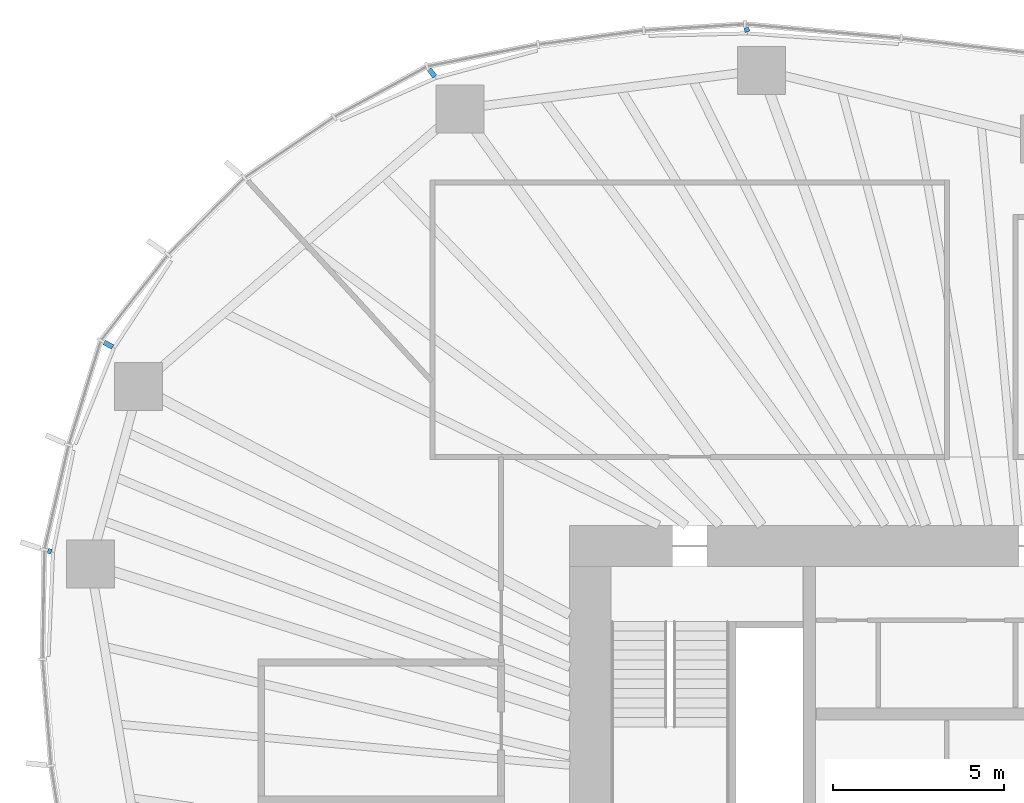
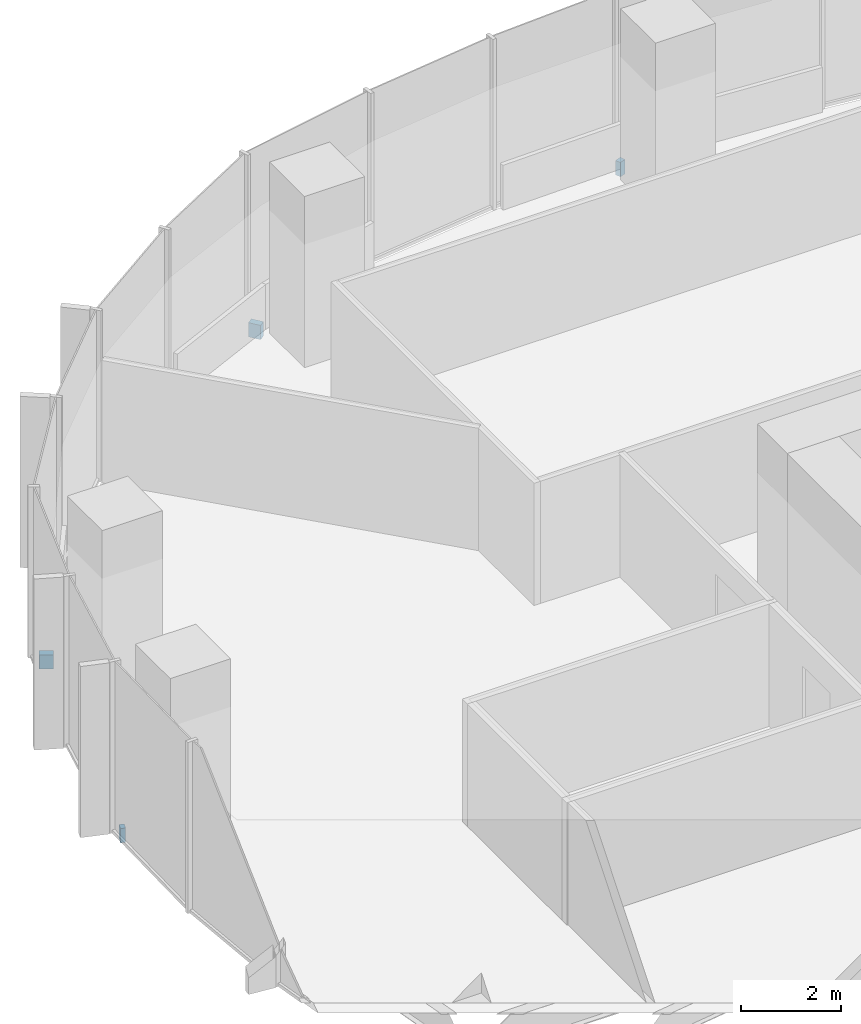
# One storey, part 15 of 18: 4 discrete accessories.
"""IFC4 building model written with IfcOpenShell, lengths in metres."""

import ifcopenshell
import ifcopenshell.guid

model = None  # the IFC model being written
_history = None  # IfcOwnerHistory: only IFC2X3 demands one
_inside = {}  # id of a spatial element -> (the spatial element, [elements in it])
_under = {}  # id of a project, library or spatial element -> (it, [spatial elements below it])
_declared = {}  # id of a project -> (the project, [libraries it declares])
_typed = {}  # id of a type object -> (the type object, [elements of that type])
_made_of = {}  # id of a material, layer set ... -> (it, [elements and type objects made of it])


def new_model(schema):
    """Start an empty IFC model of exactly this schema.

    Asked for "IFC4X3", IfcOpenShell would pick the latest addendum, in which some entities
    have other attributes; the version numbers below select the first issue.
    IFC2X3 requires an IfcOwnerHistory on every rooted entity: one is made here for all.
    """
    global model, _history
    if schema == "IFC4X3":
        model = ifcopenshell.file(schema_version=(4, 3, 0, 0))
    else:
        model = ifcopenshell.file(schema=schema)
    _inside.clear()
    _under.clear()
    _declared.clear()
    _typed.clear()
    _made_of.clear()
    _history = None
    if model.schema == "IFC2X3":
        org = make("IfcOrganization", Name="unknown")
        user = make(
            "IfcPersonAndOrganization",
            ThePerson=make("IfcPerson", FamilyName="unknown"),
            TheOrganization=org,
        )
        app = make(
            "IfcApplication",
            ApplicationDeveloper=org,
            Version="unknown",
            ApplicationFullName="unknown",
            ApplicationIdentifier="unknown",
        )
        _history = make(
            "IfcOwnerHistory",
            OwningUser=user,
            OwningApplication=app,
            ChangeAction="ADDED",
            CreationDate=0,
        )
    return model


def make(cls, **values):
    """One entity of the class cls with the attributes given. An attribute that is None is left unset."""
    return model.create_entity(
        cls, **{name: value for name, value in values.items() if value is not None}
    )


def rooted(cls, **values):
    """An entity with a GlobalId (a new one), such as an element, a storey or a relation."""
    return make(cls, GlobalId=ifcopenshell.guid.new(), OwnerHistory=_history, **values)


def si_unit(unit_type, name, prefix=None):
    """IfcSIUnit, for example si_unit("LENGTHUNIT", "METRE", prefix="MILLI")."""
    return make("IfcSIUnit", UnitType=unit_type, Prefix=prefix, Name=name)


def assignment(units):
    """IfcUnitAssignment: the units of a project."""
    return None if units is None else make("IfcUnitAssignment", Units=units)


def point(xyz):
    """IfcCartesianPoint."""
    return None if xyz is None else make("IfcCartesianPoint", Coordinates=xyz)


def direction(xyz):
    """IfcDirection."""
    return None if xyz is None else make("IfcDirection", DirectionRatios=xyz)


def frame(location, z_axis=None, x_axis=None):
    """IfcAxis2Placement3D, a coordinate frame: its origin and axes. An axis left out is left unset."""
    return make(
        "IfcAxis2Placement3D",
        Location=point(location),
        Axis=direction(z_axis),
        RefDirection=direction(x_axis),
    )


def frame_2d(location, x_axis=None):
    """IfcAxis2Placement2D, a coordinate frame in the plane: its origin and x axis."""
    return make(
        "IfcAxis2Placement2D", Location=point(location), RefDirection=direction(x_axis)
    )


def origin():
    """The frame at (0, 0, 0) with its axes left unset."""
    return frame((0.0, 0.0, 0.0))


def origin_2d():
    """The frame at (0, 0) in the plane with its x axis left unset."""
    return frame_2d((0.0, 0.0))


def place(relative_to, where):
    """IfcLocalPlacement: puts the frame where relative to a parent placement (None: the world)."""
    return make(
        "IfcLocalPlacement", PlacementRelTo=relative_to, RelativePlacement=where
    )


def context(
    kind, dimensions, precision=None, world=None, true_north=None, identifier=None
):
    """IfcGeometricRepresentationContext, for example the 3D "Model" context."""
    return make(
        "IfcGeometricRepresentationContext",
        ContextIdentifier=identifier,
        ContextType=kind,
        CoordinateSpaceDimension=dimensions,
        Precision=precision,
        WorldCoordinateSystem=world,
        TrueNorth=true_north,
    )


def subcontext(parent, identifier, kind, view, scale=None):
    """IfcGeometricRepresentationSubContext, for example "Body" below "Model"."""
    return make(
        "IfcGeometricRepresentationSubContext",
        ContextIdentifier=identifier,
        ContextType=kind,
        ParentContext=parent,
        TargetScale=scale,
        TargetView=view,
    )


def project(units=None, contexts=None):
    """IfcProject with its units and contexts."""
    return rooted(
        "IfcProject",
        Name="project",
        RepresentationContexts=contexts,
        UnitsInContext=assignment(units),
    )


def spatial(cls, under=None, at=None, **own):
    """A site, building, storey or space (cls), placed at a placement, below another one or the project."""
    s = rooted(cls, ObjectPlacement=at, **own)
    if under is not None:
        _under.setdefault(under.id(), (under, []))[1].append(s)
    return s


def profile(cls, at=None, kind="AREA", **sizes):
    """A parametric profile (cls). Its sizes go by their IFC names, for example OverallWidth=200.0."""
    return make(cls, ProfileType=kind, Position=at, **sizes)


def rectangle(**sizes):
    """IfcRectangleProfileDef."""
    return profile("IfcRectangleProfileDef", **sizes)


def extrude(swept, where, along, depth):
    """IfcExtrudedAreaSolid: the profile swept, set in the frame where, extruded along a direction by depth."""
    return make(
        "IfcExtrudedAreaSolid",
        SweptArea=swept,
        Position=where,
        ExtrudedDirection=direction(along),
        Depth=depth,
    )


def shape(context_of_items, identifier, shape_type, items):
    """IfcShapeRepresentation: the items that make up one representation, for example the "Body"."""
    return make(
        "IfcShapeRepresentation",
        ContextOfItems=context_of_items,
        RepresentationIdentifier=identifier,
        RepresentationType=shape_type,
        Items=items,
    )


def material(Name=None, Category=None):
    """IfcMaterial."""
    return make("IfcMaterial", Name=Name, Category=Category)


def made_of(thing, what):
    """Note that an element or type object is made of a material, layer set ...; save() writes the relation."""
    if what is not None:
        _made_of.setdefault(what.id(), (what, []))[1].append(thing)
    return thing


def type_object(cls, material=None, **own):
    """A type object (cls), such as IfcWallType, which elements share."""
    return made_of(rooted(cls, **own), material)


def element(
    cls,
    number,
    at=None,
    inside=None,
    cuts=None,
    type_object=None,
    material=None,
    context=None,
    identifier="Body",
    shape_type=None,
    held_by="IfcProductDefinitionShape",
    body=None,
    shapes=None,
    **own,
):
    """One element of the class cls, such as IfcWall. Its Tag is "e" and its number.

    at: its placement. inside: the storey or other place that contains it. cuts: it is an
    opening in that element (IfcRelVoidsElement). A single representation is given by context,
    identifier, shape_type and body (its items); several are given by shapes. held_by: the class
    of the entity that holds the representations. save() writes the other relations.
    """
    e = rooted(cls, Tag="e%d" % number, ObjectPlacement=at, **own)
    if body is not None:
        shapes = [shape(context, identifier, shape_type, body)]
    if shapes is not None:
        e.Representation = make(held_by, Representations=shapes)
    if inside is not None:
        _inside.setdefault(inside.id(), (inside, []))[1].append(e)
    if cuts is not None:
        rooted(
            "IfcRelVoidsElement", RelatingBuildingElement=cuts, RelatedOpeningElement=e
        )
    if type_object is not None:
        _typed.setdefault(type_object.id(), (type_object, []))[1].append(e)
    return made_of(e, material)


def aggregate(whole, parts):
    """IfcRelAggregates: a whole, such as a stair, and the parts it consists of."""
    return rooted("IfcRelAggregates", RelatingObject=whole, RelatedObjects=parts)


def save(model, path):
    """Write the relations noted so far, then the file.

    IfcRelAggregates (storeys below a building ...), IfcRelContainedInSpatialStructure (elements
    in a storey), IfcRelDefinesByType, IfcRelAssociatesMaterial and IfcRelDeclares: one each for
    every whole, place, type object, material and project.
    """
    for whole, parts in _under.values():
        aggregate(whole, parts)
    for where, things in _inside.values():
        rooted(
            "IfcRelContainedInSpatialStructure",
            RelatedElements=things,
            RelatingStructure=where,
        )
    for kind, things in _typed.values():
        rooted("IfcRelDefinesByType", RelatedObjects=things, RelatingType=kind)
    for what, things in _made_of.values():
        rooted("IfcRelAssociatesMaterial", RelatedObjects=things, RelatingMaterial=what)
    for by, libraries in _declared.values():
        rooted("IfcRelDeclares", RelatingContext=by, RelatedDefinitions=libraries)
    model.write(path)


model = new_model("IFC4")

# Units and contexts
model_context = context("Model", 3, precision=1e-05, world=origin(), true_north=direction((0.0, 1.0)))
body_context = subcontext(model_context, "Body", "Model", "MODEL_VIEW")
ifc_project = project(units=[si_unit("LENGTHUNIT", "METRE"), si_unit("AREAUNIT", "SQUARE_METRE"), si_unit("VOLUMEUNIT", "CUBIC_METRE"), si_unit("PLANEANGLEUNIT", "RADIAN"), si_unit("MASSUNIT", "GRAM", prefix="KILO")], contexts=[model_context])

# Site, building, storey
site_placement = place(None, origin())
site = spatial("IfcSite", under=ifc_project, at=site_placement, CompositionType="ELEMENT")
building_placement = place(site_placement, origin())
building = spatial("IfcBuilding", under=site, at=building_placement, Name="Ghaith Harvest Tower", CompositionType="ELEMENT")
storey_placement = place(building_placement, frame((0.0, 0.0, 151.199951171875)))
storey = spatial("IfcBuildingStorey", under=building, at=storey_placement, Name="L32", CompositionType="ELEMENT", Elevation=151.199951171875)

# Discrete accessories
ifc_material_1 = material(Name="Stainless steel grade 1.4401", Category="steel")
discrete_accessory_type_1 = type_object("IfcDiscreteAccessoryType", Name="CURTAIN WALL BRACKET 105", PredefinedType="BRACKET", material=ifc_material_1)
discrete_accessory_1_placement = place(storey_placement, frame((-29.171875, 9.2451171875, -0.25), z_axis=(0.0, 0.0, 1.0), x_axis=(-0.953273219358, 0.302109531884, 0.0)))
element("IfcDiscreteAccessory", 1, at=discrete_accessory_1_placement, inside=storey, type_object=discrete_accessory_type_1, Name="CW-L bracket 1 bay 10 L32", PredefinedType="BRACKET", context=body_context, shape_type="SweptSolid", body=[
    extrude(rectangle(XDim=0.10498046875, YDim=0.14990234375, at=origin_2d()), origin(), (0.0, 0.0, 1.0), 0.35009765625),
])
ifc_material_2 = material(Name="Stainless steel grade 1.4401", Category="steel")
discrete_accessory_type_2 = type_object("IfcDiscreteAccessoryType", Name="CURTAIN WALL BRACKET 125", PredefinedType="BRACKET", material=ifc_material_2)
discrete_accessory_2_placement = place(storey_placement, frame((-8.833984375, 24.45849609375, -0.25), z_axis=(0.0, 0.0, 1.0), x_axis=(-0.339699453402, 0.94053404051, 0.0)))
element("IfcDiscreteAccessory", 2, at=discrete_accessory_2_placement, inside=storey, type_object=discrete_accessory_type_2, Name="CW-L bracket 1 bay 07 L32", PredefinedType="BRACKET", context=body_context, shape_type="SweptSolid", body=[
    extrude(rectangle(XDim=0.125, YDim=0.14990234375, at=origin_2d()), origin(), (0.0, 0.0, 1.0), 0.35009765625),
])
ifc_material_3 = material(Name="Stainless steel grade 1.4401", Category="steel")
discrete_accessory_type_3 = type_object("IfcDiscreteAccessoryType", Name="CURTAIN WALL BRACKET 265", PredefinedType="BRACKET", material=ifc_material_3)
discrete_accessory_3_placement = place(storey_placement, frame((-18.0166015625, 23.197998046875, -0.25), z_axis=(0.0, 0.0, 1.0), x_axis=(-0.613377714422, 0.78978970584, 0.0)))
element("IfcDiscreteAccessory", 3, at=discrete_accessory_3_placement, inside=storey, type_object=discrete_accessory_type_3, Name="CW-L bracket 1 bay 08 L32", PredefinedType="BRACKET", context=body_context, shape_type="SweptSolid", body=[
    extrude(rectangle(XDim=0.264892578125, YDim=0.14990234375, at=origin_2d()), origin(), (0.0, 0.0, 1.0), 0.35009765625),
])
ifc_material_4 = material(Name="Stainless steel grade 1.4401", Category="steel")
discrete_accessory_type_4 = type_object("IfcDiscreteAccessoryType", Name="CURTAIN WALL BRACKET 285", PredefinedType="BRACKET", material=ifc_material_4)
discrete_accessory_4_placement = place(storey_placement, frame((-27.45849609375, 15.271728515625, -0.25), z_axis=(0.0, 0.0, 1.0), x_axis=(-0.873926916005, 0.486057347935, 0.0)))
element("IfcDiscreteAccessory", 4, at=discrete_accessory_4_placement, inside=storey, type_object=discrete_accessory_type_4, Name="CW-L bracket 2 bay 09 L32", PredefinedType="BRACKET", context=body_context, shape_type="SweptSolid", body=[
    extrude(rectangle(XDim=0.284912109375, YDim=0.14990234375, at=origin_2d()), origin(), (0.0, 0.0, 1.0), 0.35009765625),
])

save(model, "model.ifc")
